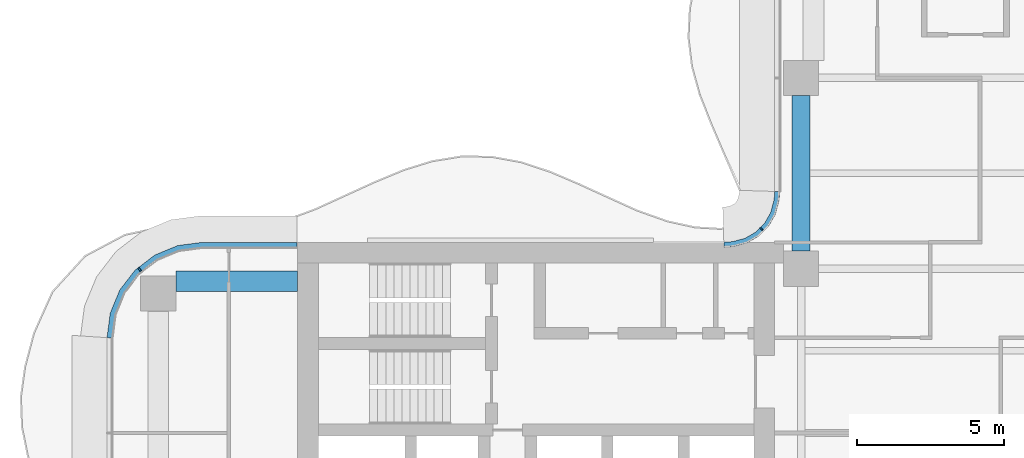
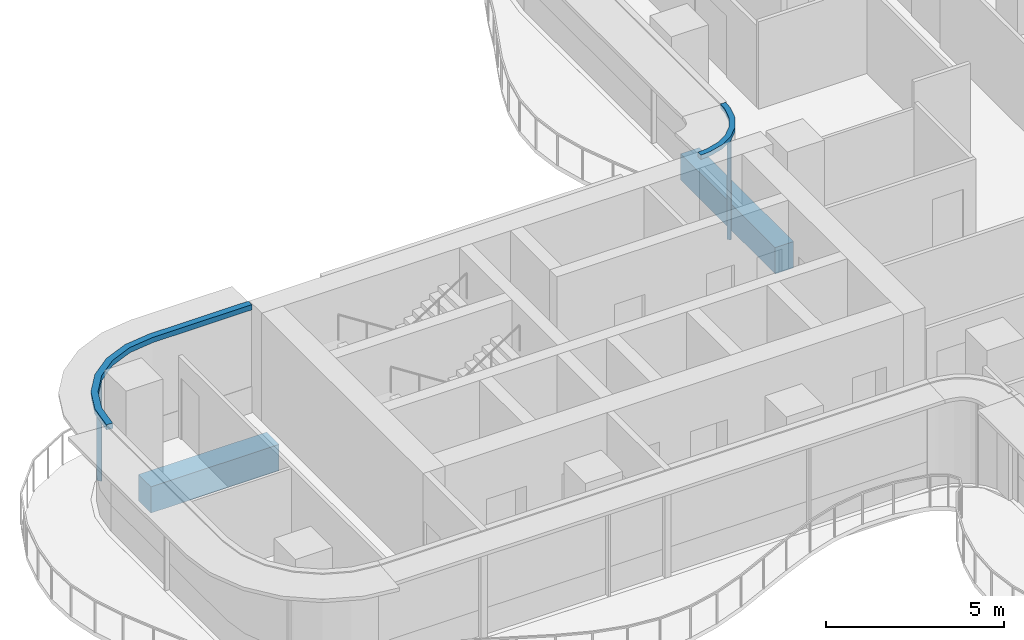
# One storey, part 7 of 18: 4 members, 2 beams, 2 elements without a shape of their own.
"""IFC4 building model written with IfcOpenShell, lengths in metres."""

import ifcopenshell
import ifcopenshell.guid

model = None  # the IFC model being written
_history = None  # IfcOwnerHistory: only IFC2X3 demands one
_inside = {}  # id of a spatial element -> (the spatial element, [elements in it])
_under = {}  # id of a project, library or spatial element -> (it, [spatial elements below it])
_declared = {}  # id of a project -> (the project, [libraries it declares])
_typed = {}  # id of a type object -> (the type object, [elements of that type])
_made_of = {}  # id of a material, layer set ... -> (it, [elements and type objects made of it])


def new_model(schema):
    """Start an empty IFC model of exactly this schema.

    Asked for "IFC4X3", IfcOpenShell would pick the latest addendum, in which some entities
    have other attributes; the version numbers below select the first issue.
    IFC2X3 requires an IfcOwnerHistory on every rooted entity: one is made here for all.
    """
    global model, _history
    if schema == "IFC4X3":
        model = ifcopenshell.file(schema_version=(4, 3, 0, 0))
    else:
        model = ifcopenshell.file(schema=schema)
    _inside.clear()
    _under.clear()
    _declared.clear()
    _typed.clear()
    _made_of.clear()
    _history = None
    if model.schema == "IFC2X3":
        org = make("IfcOrganization", Name="unknown")
        user = make(
            "IfcPersonAndOrganization",
            ThePerson=make("IfcPerson", FamilyName="unknown"),
            TheOrganization=org,
        )
        app = make(
            "IfcApplication",
            ApplicationDeveloper=org,
            Version="unknown",
            ApplicationFullName="unknown",
            ApplicationIdentifier="unknown",
        )
        _history = make(
            "IfcOwnerHistory",
            OwningUser=user,
            OwningApplication=app,
            ChangeAction="ADDED",
            CreationDate=0,
        )
    return model


def make(cls, **values):
    """One entity of the class cls with the attributes given. An attribute that is None is left unset."""
    return model.create_entity(
        cls, **{name: value for name, value in values.items() if value is not None}
    )


def rooted(cls, **values):
    """An entity with a GlobalId (a new one), such as an element, a storey or a relation."""
    return make(cls, GlobalId=ifcopenshell.guid.new(), OwnerHistory=_history, **values)


def si_unit(unit_type, name, prefix=None):
    """IfcSIUnit, for example si_unit("LENGTHUNIT", "METRE", prefix="MILLI")."""
    return make("IfcSIUnit", UnitType=unit_type, Prefix=prefix, Name=name)


def assignment(units):
    """IfcUnitAssignment: the units of a project."""
    return None if units is None else make("IfcUnitAssignment", Units=units)


def point(xyz):
    """IfcCartesianPoint."""
    return None if xyz is None else make("IfcCartesianPoint", Coordinates=xyz)


def direction(xyz):
    """IfcDirection."""
    return None if xyz is None else make("IfcDirection", DirectionRatios=xyz)


def frame(location, z_axis=None, x_axis=None):
    """IfcAxis2Placement3D, a coordinate frame: its origin and axes. An axis left out is left unset."""
    return make(
        "IfcAxis2Placement3D",
        Location=point(location),
        Axis=direction(z_axis),
        RefDirection=direction(x_axis),
    )


def frame_2d(location, x_axis=None):
    """IfcAxis2Placement2D, a coordinate frame in the plane: its origin and x axis."""
    return make(
        "IfcAxis2Placement2D", Location=point(location), RefDirection=direction(x_axis)
    )


def origin():
    """The frame at (0, 0, 0) with its axes left unset."""
    return frame((0.0, 0.0, 0.0))


def origin_2d():
    """The frame at (0, 0) in the plane with its x axis left unset."""
    return frame_2d((0.0, 0.0))


def place(relative_to, where):
    """IfcLocalPlacement: puts the frame where relative to a parent placement (None: the world)."""
    return make(
        "IfcLocalPlacement", PlacementRelTo=relative_to, RelativePlacement=where
    )


def context(
    kind, dimensions, precision=None, world=None, true_north=None, identifier=None
):
    """IfcGeometricRepresentationContext, for example the 3D "Model" context."""
    return make(
        "IfcGeometricRepresentationContext",
        ContextIdentifier=identifier,
        ContextType=kind,
        CoordinateSpaceDimension=dimensions,
        Precision=precision,
        WorldCoordinateSystem=world,
        TrueNorth=true_north,
    )


def subcontext(parent, identifier, kind, view, scale=None):
    """IfcGeometricRepresentationSubContext, for example "Body" below "Model"."""
    return make(
        "IfcGeometricRepresentationSubContext",
        ContextIdentifier=identifier,
        ContextType=kind,
        ParentContext=parent,
        TargetScale=scale,
        TargetView=view,
    )


def project(units=None, contexts=None):
    """IfcProject with its units and contexts."""
    return rooted(
        "IfcProject",
        Name="project",
        RepresentationContexts=contexts,
        UnitsInContext=assignment(units),
    )


def spatial(cls, under=None, at=None, **own):
    """A site, building, storey or space (cls), placed at a placement, below another one or the project."""
    s = rooted(cls, ObjectPlacement=at, **own)
    if under is not None:
        _under.setdefault(under.id(), (under, []))[1].append(s)
    return s


def polyline(points):
    """IfcPolyline through the points."""
    return make("IfcPolyline", Points=[point(p) for p in points])


def profile(cls, at=None, kind="AREA", **sizes):
    """A parametric profile (cls). Its sizes go by their IFC names, for example OverallWidth=200.0."""
    return make(cls, ProfileType=kind, Position=at, **sizes)


def rectangle(**sizes):
    """IfcRectangleProfileDef."""
    return profile("IfcRectangleProfileDef", **sizes)


def outline(outer, holes=None, kind="AREA"):
    """IfcArbitraryClosedProfileDef: a profile drawn as a closed curve; with holes, ...WithVoids."""
    if holes is None:
        return make("IfcArbitraryClosedProfileDef", ProfileType=kind, OuterCurve=outer)
    return make(
        "IfcArbitraryProfileDefWithVoids",
        ProfileType=kind,
        OuterCurve=outer,
        InnerCurves=holes,
    )


def extrude(swept, where, along, depth):
    """IfcExtrudedAreaSolid: the profile swept, set in the frame where, extruded along a direction by depth."""
    return make(
        "IfcExtrudedAreaSolid",
        SweptArea=swept,
        Position=where,
        ExtrudedDirection=direction(along),
        Depth=depth,
    )


def shape(context_of_items, identifier, shape_type, items):
    """IfcShapeRepresentation: the items that make up one representation, for example the "Body"."""
    return make(
        "IfcShapeRepresentation",
        ContextOfItems=context_of_items,
        RepresentationIdentifier=identifier,
        RepresentationType=shape_type,
        Items=items,
    )


def source(mapping_origin, context_of_items, identifier, shape_type, items):
    """IfcRepresentationMap: a shape defined once, which mapped items show again and again."""
    return make(
        "IfcRepresentationMap",
        MappingOrigin=mapping_origin,
        MappedRepresentation=shape(context_of_items, identifier, shape_type, items),
    )


def transform(
    local_origin,
    x_axis=None,
    y_axis=None,
    z_axis=None,
    scale=None,
    scale2=None,
    scale3=None,
    uniform=True,
):
    """IfcCartesianTransformationOperator3D, or its non-uniform kind. x_axis, y_axis, z_axis: its Axis1, 2, 3."""
    if uniform:
        return make(
            "IfcCartesianTransformationOperator3D",
            Axis1=direction(x_axis),
            Axis2=direction(y_axis),
            LocalOrigin=point(local_origin),
            Scale=scale,
            Axis3=direction(z_axis),
        )
    return make(
        "IfcCartesianTransformationOperator3DnonUniform",
        Axis1=direction(x_axis),
        Axis2=direction(y_axis),
        LocalOrigin=point(local_origin),
        Scale=scale,
        Axis3=direction(z_axis),
        Scale2=scale2,
        Scale3=scale3,
    )


def mapped(mapping_source, mapping_target):
    """IfcMappedItem: shows the shape of a source again, moved by a transform."""
    return make(
        "IfcMappedItem", MappingSource=mapping_source, MappingTarget=mapping_target
    )


def material(Name=None, Category=None):
    """IfcMaterial."""
    return make("IfcMaterial", Name=Name, Category=Category)


def layer(
    of_material, thickness, ventilated=None, Name=None, Category=None, Priority=None
):
    """IfcMaterialLayer: one layer of a wall or slab, of a material (None: an air gap)."""
    return make(
        "IfcMaterialLayer",
        Material=of_material,
        LayerThickness=thickness,
        IsVentilated=ventilated,
        Name=Name,
        Category=Category,
        Priority=Priority,
    )


def layer_set(layers, Name=None):
    """IfcMaterialLayerSet."""
    return make("IfcMaterialLayerSet", MaterialLayers=layers, LayerSetName=Name)


def material_profile(
    of_material, cross_section, Name=None, Category=None, Priority=None
):
    """IfcMaterialProfile: a cross section and its material."""
    return make(
        "IfcMaterialProfile",
        Name=Name,
        Material=of_material,
        Profile=cross_section,
        Priority=Priority,
        Category=Category,
    )


def profile_set(profiles, Name=None, composite=None):
    """IfcMaterialProfileSet."""
    return make(
        "IfcMaterialProfileSet",
        Name=Name,
        MaterialProfiles=profiles,
        CompositeProfile=composite,
    )


def made_of(thing, what):
    """Note that an element or type object is made of a material, layer set ...; save() writes the relation."""
    if what is not None:
        _made_of.setdefault(what.id(), (what, []))[1].append(thing)
    return thing


def type_object(cls, material=None, **own):
    """A type object (cls), such as IfcWallType, which elements share."""
    return made_of(rooted(cls, **own), material)


def element(
    cls,
    number,
    at=None,
    inside=None,
    cuts=None,
    type_object=None,
    material=None,
    context=None,
    identifier="Body",
    shape_type=None,
    held_by="IfcProductDefinitionShape",
    body=None,
    shapes=None,
    **own,
):
    """One element of the class cls, such as IfcWall. Its Tag is "e" and its number.

    at: its placement. inside: the storey or other place that contains it. cuts: it is an
    opening in that element (IfcRelVoidsElement). A single representation is given by context,
    identifier, shape_type and body (its items); several are given by shapes. held_by: the class
    of the entity that holds the representations. save() writes the other relations.
    """
    e = rooted(cls, Tag="e%d" % number, ObjectPlacement=at, **own)
    if body is not None:
        shapes = [shape(context, identifier, shape_type, body)]
    if shapes is not None:
        e.Representation = make(held_by, Representations=shapes)
    if inside is not None:
        _inside.setdefault(inside.id(), (inside, []))[1].append(e)
    if cuts is not None:
        rooted(
            "IfcRelVoidsElement", RelatingBuildingElement=cuts, RelatedOpeningElement=e
        )
    if type_object is not None:
        _typed.setdefault(type_object.id(), (type_object, []))[1].append(e)
    return made_of(e, material)


def aggregate(whole, parts):
    """IfcRelAggregates: a whole, such as a stair, and the parts it consists of."""
    return rooted("IfcRelAggregates", RelatingObject=whole, RelatedObjects=parts)


def save(model, path):
    """Write the relations noted so far, then the file.

    IfcRelAggregates (storeys below a building ...), IfcRelContainedInSpatialStructure (elements
    in a storey), IfcRelDefinesByType, IfcRelAssociatesMaterial and IfcRelDeclares: one each for
    every whole, place, type object, material and project.
    """
    for whole, parts in _under.values():
        aggregate(whole, parts)
    for where, things in _inside.values():
        rooted(
            "IfcRelContainedInSpatialStructure",
            RelatedElements=things,
            RelatingStructure=where,
        )
    for kind, things in _typed.values():
        rooted("IfcRelDefinesByType", RelatedObjects=things, RelatingType=kind)
    for what, things in _made_of.values():
        rooted("IfcRelAssociatesMaterial", RelatedObjects=things, RelatingMaterial=what)
    for by, libraries in _declared.values():
        rooted("IfcRelDeclares", RelatingContext=by, RelatedDefinitions=libraries)
    model.write(path)


model = new_model("IFC4")

# Units and contexts
model_context = context("Model", 3, precision=1e-05, world=origin(), true_north=direction((0.0, 1.0)))
body_context = subcontext(model_context, "Body", "Model", "MODEL_VIEW")
ifc_project = project(units=[si_unit("LENGTHUNIT", "METRE"), si_unit("AREAUNIT", "SQUARE_METRE"), si_unit("VOLUMEUNIT", "CUBIC_METRE"), si_unit("PLANEANGLEUNIT", "RADIAN"), si_unit("MASSUNIT", "GRAM", prefix="KILO")], contexts=[model_context])

# Site, building, storey
site_placement = place(None, origin())
site = spatial("IfcSite", under=ifc_project, at=site_placement, CompositionType="ELEMENT")
building_placement = place(site_placement, origin())
building = spatial("IfcBuilding", under=site, at=building_placement, Name="Trellis Farm Tower", CompositionType="ELEMENT")
storey_placement = place(building_placement, frame((0.0, 0.0, 193.199951171875)))
storey = spatial("IfcBuildingStorey", under=building, at=storey_placement, Name="L42", CompositionType="ELEMENT", Elevation=193.199951171875)

# Beams
ifc_material_1 = material(Name="Concrete C60/75", Category="concrete")
ifc_material_profile_1 = material_profile(ifc_material_1, rectangle(XDim=0.60009765625, YDim=0.89990234375, at=origin_2d()), Name="RC spandrel beam 600x900 C60/75")
ifc_profile_set_1 = profile_set([ifc_material_profile_1], Name="Concrete C60/75")
beam_type_1 = type_object("IfcBeamType", Name="RC spandrel beam 600x900 C60/75", PredefinedType="SPANDREL", material=ifc_profile_set_1)
shared_shape_1 = source(origin(), body_context, "Body", "SweptSolid", [
    extrude(rectangle(XDim=0.60009765625, YDim=0.89990234375, at=origin_2d()), origin(), (0.0, 0.0, 1.0), 5.300048828125),
])
beam_1_placement = place(storey_placement, frame((-5.60009765625, 6.199951171875, -0.64990234375), z_axis=(0.0, 1.0, 0.0), x_axis=(-1.0, 0.0, 0.0)))
element("IfcBeam", 1, at=beam_1_placement, inside=storey, type_object=beam_type_1, Name="Girder", PredefinedType="SPANDREL", context=body_context, shape_type="MappedRepresentation", body=[
    mapped(shared_shape_1, transform((0.0, 0.0, 0.0))),
])
ifc_material_profile_2 = material_profile(ifc_material_1, rectangle(XDim=0.699951171875, YDim=0.89990234375, at=origin_2d()), Name="RC spandrel beam 700x900 C60/75")
ifc_profile_set_2 = profile_set([ifc_material_profile_2], Name="Concrete C60/75")
beam_type_2 = type_object("IfcBeamType", Name="RC spandrel beam 700x900 C60/75", PredefinedType="SPANDREL", material=ifc_profile_set_2)
shared_shape_2 = source(origin(), body_context, "Body", "SweptSolid", [
    extrude(rectangle(XDim=0.699951171875, YDim=0.89990234375, at=origin_2d()), origin(), (0.0, 0.0, 1.0), 4.14990234375),
])
beam_2_placement = place(storey_placement, frame((-26.89990234375, 5.175048828125, -0.64990234375), z_axis=(1.0, 0.0, 0.0), x_axis=(0.0, 1.0, 0.0)))
element("IfcBeam", 2, at=beam_2_placement, inside=storey, type_object=beam_type_2, Name="Girder", PredefinedType="SPANDREL", context=body_context, shape_type="MappedRepresentation", body=[
    mapped(shared_shape_2, transform((0.0, 0.0, 0.0))),
])

# Curtain wall, member
ifc_material_2 = material(Name="Aluminium and glass curtain wall", Category="aluminium")
ifc_layer_1 = layer(ifc_material_2, 0.166015625)
ifc_layer_set_1 = layer_set([ifc_layer_1], Name="WINTER GARDEN CURTAIN WALL CW3")
curtain_wall_type_1 = type_object("IfcCurtainWallType", Name="WINTER GARDEN CURTAIN WALL CW3", PredefinedType="NOTDEFINED", material=ifc_layer_set_1)
placement = place(storey_placement, origin())
curtain_wall_1 = element("IfcCurtainWall", 3, at=placement, inside=storey, type_object=curtain_wall_type_1, Name="CW3 004", PredefinedType="NOTDEFINED")
ifc_material_3 = material(Name="Aluminium extrusion 6063-T6", Category="aluminium")
ifc_layer_2 = layer(ifc_material_3, 0.169921875)
ifc_layer_set_2 = layer_set([ifc_layer_2], Name="Aluminium extrusion 6063-T6")
member_type_1 = type_object("IfcMemberType", Name="CW3 TRANSOM 170x150", PredefinedType="USERDEFINED", material=ifc_layer_set_2)
shared_shape_3 = source(origin(), body_context, "Body", "SweptSolid", [
    extrude(outline(polyline([(-6.5, 8.2314453125), (-6.513916015625, 8.01953125), (-6.527587890625, 7.91552734375), (-6.63671875, 7.508544921875), (-6.846923828125, 7.144287109375), (-7.144287109375, 6.846923828125), (-7.508544921875, 6.63671875), (-7.91552734375, 6.527587890625), (-8.01953125, 6.513916015625), (-8.2314453125, 6.5), (-8.225830078125, 6.330078125), (-8.0029296875, 6.3447265625), (-7.88232421875, 6.360595703125), (-7.44287109375, 6.478271484375), (-7.0400390625, 6.7109375), (-6.7109375, 7.0400390625), (-6.478271484375, 7.44287109375), (-6.360595703125, 7.88232421875), (-6.3447265625, 8.0029296875), (-6.330078125, 8.225830078125), (-6.5, 8.2314453125)])), origin(), (0.0, 0.0, 1.0), 0.14990234375),
])
member_1_placement = place(storey_placement, frame((0.0, 0.0, 3.550048828125)))
member_1 = element("IfcMember", 4, at=member_1_placement, type_object=member_type_1, Name="TR3 004", ObjectType="TRANSOM", PredefinedType="USERDEFINED", context=body_context, shape_type="MappedRepresentation", body=[
    mapped(shared_shape_3, transform((0.0, 0.0, 0.0))),
])

ifc_layer_3 = layer(ifc_material_2, 0.18994140625)
ifc_layer_set_3 = layer_set([ifc_layer_3], Name="RIBBON CURTAIN WALL CW1")
curtain_wall_type_2 = type_object("IfcCurtainWallType", Name="RIBBON CURTAIN WALL CW1", PredefinedType="NOTDEFINED", material=ifc_layer_set_3)
curtain_wall_2 = element("IfcCurtainWall", 5, at=placement, inside=storey, type_object=curtain_wall_type_2, Name="CW1 012", PredefinedType="NOTDEFINED")
ifc_material_profile_3 = material_profile(ifc_material_3, rectangle(XDim=0.06005859375, YDim=0.14990234375, at=origin_2d()), Name="MULLION 60x150")
ifc_profile_set_3 = profile_set([ifc_material_profile_3], Name="Aluminium extrusion 6063-T6")
member_type_2 = type_object("IfcMemberType", Name="CW1 MULLION 60x150", PredefinedType="MULLION", material=ifc_profile_set_3)
shared_shape_4 = source(origin(), body_context, "Body", "SweptSolid", [
    extrude(rectangle(XDim=0.06005859375, YDim=0.14990234375, at=origin_2d()), origin(), (0.0, 0.0, 1.0), 3.52001953125),
])
member_2_placement = place(storey_placement, frame((-28.135498046875, 5.578369140625, 0.0), z_axis=(0.0, 0.0, 1.0), x_axis=(-0.793353340291, -0.608761429009, 0.0)))
member_2 = element("IfcMember", 6, at=member_2_placement, type_object=member_type_2, Name="MU1 012-01", PredefinedType="MULLION", context=body_context, shape_type="MappedRepresentation", body=[
    mapped(shared_shape_4, transform((0.0, 0.0, 0.0))),
])

# Member
ifc_material_profile_4 = material_profile(ifc_material_3, rectangle(XDim=0.050048828125, YDim=0.1201171875, at=origin_2d()), Name="MULLION 50x120")
ifc_profile_set_4 = profile_set([ifc_material_profile_4], Name="Aluminium extrusion 6063-T6")
member_type_3 = type_object("IfcMemberType", Name="CW3 MULLION 50x120", PredefinedType="MULLION", material=ifc_profile_set_4)
shared_shape_5 = source(origin(), body_context, "Body", "SweptSolid", [
    extrude(rectangle(XDim=0.050048828125, YDim=0.1201171875, at=origin_2d()), origin(), (0.0, 0.0, 1.0), 3.550048828125),
])
member_3_placement = place(storey_placement, frame((-6.953125, 6.953125, 0.0), z_axis=(0.0, 0.0, 1.0), x_axis=(-0.707106781187, -0.707106781187, 0.0)))
member_3 = element("IfcMember", 7, at=member_3_placement, type_object=member_type_3, Name="MU3 004-01", PredefinedType="MULLION", context=body_context, shape_type="MappedRepresentation", body=[
    mapped(shared_shape_5, transform((0.0, 0.0, 0.0))),
])

aggregate(curtain_wall_1, [member_3, member_1])

ifc_layer_4 = layer(ifc_material_3, 0.199951171875)
ifc_layer_set_4 = layer_set([ifc_layer_4], Name="Aluminium extrusion 6063-T6")
member_type_4 = type_object("IfcMemberType", Name="CW1 TRANSOM 200x180", PredefinedType="USERDEFINED", material=ifc_layer_set_4)
shared_shape_6 = source(origin(), body_context, "Body", "SweptSolid", [
    extrude(outline(polyline([(-22.780029296875, 6.5), (-26.0, 6.5), (-26.841064453125, 6.38916015625), (-27.625, 6.064697265625), (-28.298095703125, 5.548095703125), (-28.814697265625, 4.875), (-29.13916015625, 4.091064453125), (-29.25, 3.25), (-29.050048828125, 3.23681640625), (-28.9443359375, 4.0390625), (-28.639892578125, 4.774169921875), (-28.155517578125, 5.405517578125), (-27.524169921875, 5.889892578125), (-26.7890625, 6.1943359375), (-25.98681640625, 6.300048828125), (-22.780029296875, 6.300048828125), (-22.780029296875, 6.5)])), origin(), (0.0, 0.0, 1.0), 0.179931640625),
])
member_4_placement = place(storey_placement, frame((0.0, 0.0, 3.52001953125)))
member_4 = element("IfcMember", 8, at=member_4_placement, type_object=member_type_4, Name="TR1 012", ObjectType="TRANSOM", PredefinedType="USERDEFINED", context=body_context, shape_type="MappedRepresentation", body=[
    mapped(shared_shape_6, transform((0.0, 0.0, 0.0))),
])

aggregate(curtain_wall_2, [member_2, member_4])

save(model, "model.ifc")
